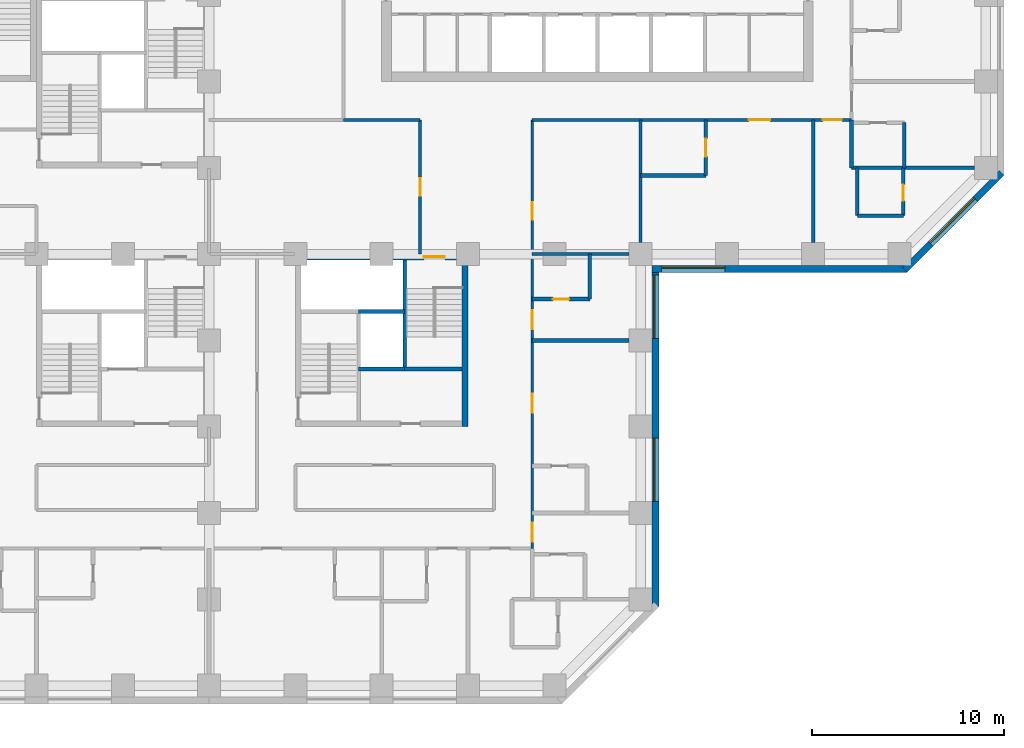
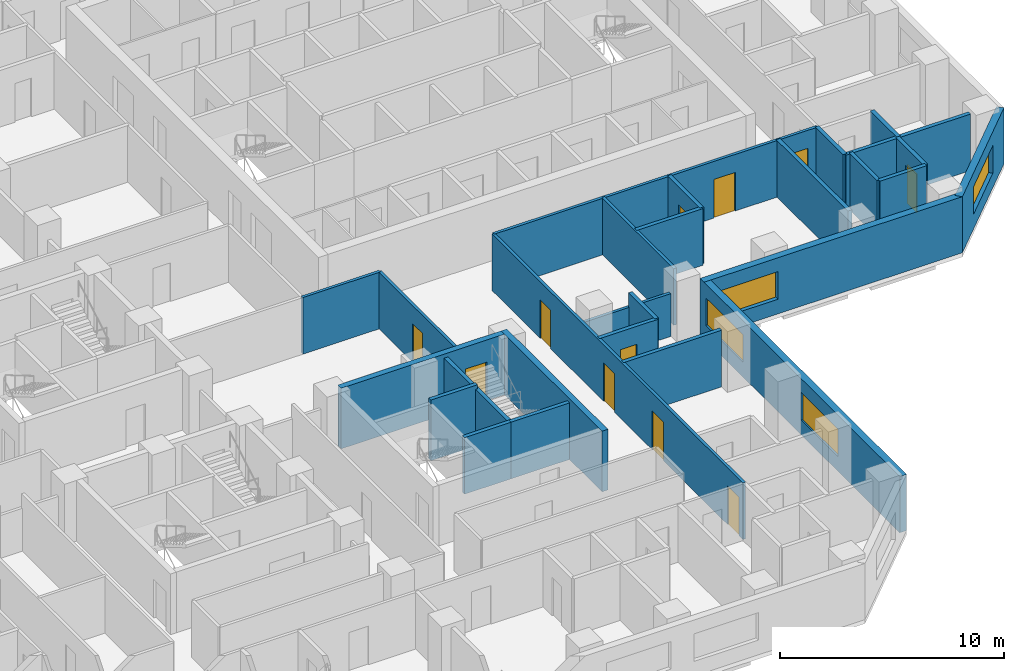
# One storey, part 5 of 12: 27 walls, 11 doors, 4 windows, 15 openings.
"""IFC4 building model written with IfcOpenShell, lengths in metres."""

from ifc_helpers import new_model, si_unit, direction, frame, frame_2d, origin, place, context, subcontext, project, spatial, rectangle, extrude, material, layer, layer_set, constituent, constituent_set, type_object, element, fill, save


model = new_model("IFC4")

# Units and contexts
model_context = context("Model", 3, precision=1e-05, world=origin(), true_north=direction((0.0, 1.0)))
body_context = subcontext(model_context, "Body", "Model", "MODEL_VIEW")
ifc_project = project(units=[si_unit("LENGTHUNIT", "METRE"), si_unit("AREAUNIT", "SQUARE_METRE"), si_unit("VOLUMEUNIT", "CUBIC_METRE"), si_unit("PLANEANGLEUNIT", "RADIAN"), si_unit("MASSUNIT", "GRAM", prefix="KILO")], contexts=[model_context])

# Site, building, storey
site_placement = place(None, origin())
site = spatial("IfcSite", under=ifc_project, at=site_placement, CompositionType="ELEMENT")
building_placement = place(site_placement, origin())
building = spatial("IfcBuilding", under=site, at=building_placement, Name="Quoin Convention Tower", CompositionType="ELEMENT")
storey_placement = place(building_placement, frame((0.0, 0.0, 56.10009765625)))
storey = spatial("IfcBuildingStorey", under=building, at=storey_placement, Name="L14", CompositionType="ELEMENT", Elevation=56.10009765625)

# Wall, openings, windows
ifc_material_1 = material(Name="Brick masonry", Category="masonry")
ifc_layer_1 = layer(ifc_material_1, 0.35009765625)
ifc_layer_set_1 = layer_set([ifc_layer_1], Name="Brick masonry")
wall_type_1 = type_object("IfcWallType", Name="Brick facade wall", PredefinedType="STANDARD", material=ifc_layer_set_1)
wall_1_placement = place(storey_placement, frame((59.27490234375, 22.1064453125, 0.0), z_axis=(0.0, 0.0, 1.0), x_axis=(0.0, 1.0, 0.0)))
wall_1 = element("IfcWall", 1, at=wall_1_placement, inside=storey, type_object=wall_type_1, Name="fw-L14-58500_22500", PredefinedType="STANDARD", context=body_context, shape_type="SweptSolid", body=[
    extrude(rectangle(XDim=17.79345703125, YDim=0.35009765625, at=frame_2d((8.896728515625, 0.0))), origin(), (0.0, 0.0, 1.0), 3.054931640625),
])
opening_1_placement = place(wall_1_placement, frame((5.493408203125, 0.0, 0.800048828125)))
opening_1 = element("IfcOpeningElement", 2, at=opening_1_placement, cuts=wall_1, Name="Opening W-01", PredefinedType="OPENING", context=body_context, shape_type="SweptSolid", body=[
    extrude(rectangle(XDim=3.300048828125, YDim=1.5, at=frame_2d((1.64990234375, 0.75))), frame((0.0, 0.18505859375, 0.0), z_axis=(0.0, -1.0, 0.0), x_axis=(1.0, 0.0, 0.0)), (0.0, 0.0, 1.0), 0.3701171875),
])
opening_2_placement = place(wall_1_placement, frame((13.993408203125, 0.0, 0.800048828125)))
opening_2 = element("IfcOpeningElement", 3, at=opening_2_placement, cuts=wall_1, Name="Opening W-01", PredefinedType="OPENING", context=body_context, shape_type="SweptSolid", body=[
    extrude(rectangle(XDim=3.300048828125, YDim=1.5, at=frame_2d((1.64990234375, 0.75))), frame((0.0, 0.18505859375, 0.0), z_axis=(0.0, -1.0, 0.0), x_axis=(1.0, 0.0, 0.0)), (0.0, 0.0, 1.0), 0.3701171875),
])
ifc_material_2 = material(Name="Aluminium", Category="aluminium")
ifc_constituent_1 = constituent(ifc_material_2, Name="Frame")
ifc_material_3 = material(Name="Insulated glass", Category="glass")
ifc_constituent_2 = constituent(ifc_material_3, Name="Glazing")
ifc_constituent_set = constituent_set(constituents=[ifc_constituent_1, ifc_constituent_2], Name="Aluminium")
window_type = type_object("IfcWindowType", Name="Hotel strip window", PartitioningType="DOUBLE_PANEL_VERTICAL", PredefinedType="WINDOW", material=ifc_constituent_set)
window_1_placement = place(opening_1_placement, origin())
window_1 = element("IfcWindow", 4, at=window_1_placement, inside=storey, type_object=window_type, Name="win-L14-59275_29250", OverallHeight=1.5, OverallWidth=3.300048828125, PartitioningType="SINGLE_PANEL", PredefinedType="WINDOW", context=body_context, shape_type="SweptSolid", body=[
    extrude(rectangle(XDim=3.300048828125, YDim=1.5, at=frame_2d((1.64990234375, 0.75))), frame((0.0, 0.0849609375, 0.0), z_axis=(0.0, -1.0, 0.0), x_axis=(1.0, 0.0, 0.0)), (0.0, 0.0, 1.0), 0.06005859375),
])
fill(opening_1, window_1)
window_2_placement = place(opening_2_placement, origin())
window_2 = element("IfcWindow", 5, at=window_2_placement, inside=storey, type_object=window_type, Name="win-L14-59275_38250", OverallHeight=1.5, OverallWidth=3.300048828125, PartitioningType="SINGLE_PANEL", PredefinedType="WINDOW", context=body_context, shape_type="SweptSolid", body=[
    extrude(rectangle(XDim=3.300048828125, YDim=1.5, at=frame_2d((1.64990234375, 0.75))), frame((0.0, 0.0849609375, 0.0), z_axis=(0.0, -1.0, 0.0), x_axis=(1.0, 0.0, 0.0)), (0.0, 0.0, 1.0), 0.06005859375),
])
fill(opening_2, window_2)

# Wall, opening, window
wall_2_placement = place(storey_placement, frame((59.10009765625, 39.72509765625, 0.0), z_axis=(0.0, 0.0, 1.0), x_axis=(1.0, 0.0, 0.0)))
wall_2 = element("IfcWall", 6, at=wall_2_placement, inside=storey, type_object=wall_type_1, Name="fw-L14-58500_40500", PredefinedType="STANDARD", context=body_context, shape_type="SweptSolid", body=[
    extrude(rectangle(XDim=13.29345703125, YDim=0.35009765625, at=frame_2d((6.646728515625, 0.0))), origin(), (0.0, 0.0, 1.0), 3.054931640625),
])
opening_3_placement = place(wall_2_placement, frame((0.5, 0.0, 0.800048828125)))
opening_3 = element("IfcOpeningElement", 7, at=opening_3_placement, cuts=wall_2, Name="Opening W-01", PredefinedType="OPENING", context=body_context, shape_type="SweptSolid", body=[
    extrude(rectangle(XDim=3.300048828125, YDim=1.5, at=frame_2d((1.64990234375, 0.75))), frame((0.0, 0.18505859375, 0.0), z_axis=(0.0, -1.0, 0.0), x_axis=(1.0, 0.0, 0.0)), (0.0, 0.0, 1.0), 0.3701171875),
])
window_3_placement = place(opening_3_placement, origin())
window_3 = element("IfcWindow", 8, at=window_3_placement, inside=storey, type_object=window_type, Name="win-L14-60750_39725", OverallHeight=1.5, OverallWidth=3.300048828125, PartitioningType="SINGLE_PANEL", PredefinedType="WINDOW", context=body_context, shape_type="SweptSolid", body=[
    extrude(rectangle(XDim=3.300048828125, YDim=1.5, at=frame_2d((1.64990234375, 0.75))), frame((0.0, 0.0849609375, 0.0), z_axis=(0.0, -1.0, 0.0), x_axis=(1.0, 0.0, 0.0)), (0.0, 0.0, 1.0), 0.06005859375),
])
fill(opening_3, window_3)

wall_3_placement = place(storey_placement, frame((72.269775390625, 39.673583984375, 0.0), z_axis=(0.0, 0.0, 1.0), x_axis=(0.707106781187, 0.707106781187, 0.0)))
wall_3 = element("IfcWall", 9, at=wall_3_placement, inside=storey, type_object=wall_type_1, Name="fw-L14-72000_40500", PredefinedType="STANDARD", context=body_context, shape_type="SweptSolid", body=[
    extrude(rectangle(XDim=7.151123046875, YDim=0.35009765625, at=frame_2d((3.57568359375, 0.0))), origin(), (0.0, 0.0, 1.0), 3.054931640625),
])
opening_4_placement = place(wall_3_placement, frame((1.925537109375, 0.0, 0.800048828125)))
opening_4 = element("IfcOpeningElement", 10, at=opening_4_placement, cuts=wall_3, Name="Opening W-01", PredefinedType="OPENING", context=body_context, shape_type="SweptSolid", body=[
    extrude(rectangle(XDim=3.300048828125, YDim=1.5, at=frame_2d((1.64990234375, 0.75))), frame((0.0, 0.18505859375, 0.0), z_axis=(0.0, -1.0, 0.0), x_axis=(1.0, 0.0, 0.0)), (0.0, 0.0, 1.0), 0.3701171875),
])
window_4_placement = place(opening_4_placement, origin())
window_4 = element("IfcWindow", 11, at=window_4_placement, inside=storey, type_object=window_type, Name="win-L14-74798_42202", OverallHeight=1.5, OverallWidth=3.300048828125, PartitioningType="SINGLE_PANEL", PredefinedType="WINDOW", context=body_context, shape_type="SweptSolid", body=[
    extrude(rectangle(XDim=3.300048828125, YDim=1.5, at=frame_2d((1.64990234375, 0.75))), frame((0.0, 0.0849609375, 0.0), z_axis=(0.0, -1.0, 0.0), x_axis=(1.0, 0.0, 0.0)), (0.0, 0.0, 1.0), 0.06005859375),
])
fill(opening_4, window_4)

# Walls
ifc_material_4 = material(Name="Concrete C50", Category="concrete")
ifc_layer_2 = layer(ifc_material_4, 0.199951171875)
ifc_layer_set_2 = layer_set([ifc_layer_2], Name="Concrete C50")
wall_type_2 = type_object("IfcWallType", Name="Core shaft wall", PredefinedType="SOLIDWALL", material=ifc_layer_set_2)
wall_4_placement = place(storey_placement, frame((43.800048828125, 34.5, 0.0), z_axis=(0.0, 0.0, 1.0), x_axis=(1.0, 0.0, 0.0)))
element("IfcWall", 12, at=wall_4_placement, inside=storey, type_object=wall_type_2, Name="cr-P3-L14-h3000_3300", PredefinedType="SOLIDWALL", context=body_context, shape_type="SweptSolid", body=[
    extrude(rectangle(XDim=2.39990234375, YDim=0.199951171875, at=frame_2d((1.199951171875, 0.0))), origin(), (0.0, 0.0, 1.0), 3.079833984375),
])
wall_5_placement = place(storey_placement, frame((46.199951171875, 34.5, 0.0), z_axis=(0.0, 0.0, 1.0), x_axis=(1.0, 0.0, 0.0)))
element("IfcWall", 13, at=wall_5_placement, inside=storey, type_object=wall_type_2, Name="cr-P3-L14-h3000_5700", PredefinedType="SOLIDWALL", context=body_context, shape_type="SweptSolid", body=[
    extrude(rectangle(XDim=3.0, YDim=0.199951171875, at=frame_2d((1.5, 0.0))), origin(), (0.0, 0.0, 1.0), 3.079833984375),
])
wall_6_placement = place(storey_placement, frame((46.199951171875, 34.5, 0.0), z_axis=(0.0, 0.0, 1.0), x_axis=(0.0, 1.0, 0.0)))
element("IfcWall", 14, at=wall_6_placement, inside=storey, type_object=wall_type_2, Name="cr-P3-L14-v5700_3000", PredefinedType="SOLIDWALL", context=body_context, shape_type="SweptSolid", body=[
    extrude(rectangle(XDim=5.699951171875, YDim=0.199951171875, at=frame_2d((2.85009765625, 0.0))), origin(), (0.0, 0.0, 1.0), 3.079833984375),
])
ifc_layer_3 = layer(ifc_material_4, 0.199951171875)
ifc_layer_set_3 = layer_set([ifc_layer_3], Name="Concrete C50")
wall_type_3 = type_object("IfcWallType", Name="Core shaft wall to the floor level over", PredefinedType="SOLIDWALL", material=ifc_layer_set_3)
wall_7_placement = place(storey_placement, frame((43.800048828125, 37.5, 0.0), z_axis=(0.0, 0.0, 1.0), x_axis=(1.0, 0.0, 0.0)))
element("IfcWall", 15, at=wall_7_placement, inside=storey, type_object=wall_type_3, Name="cr-P3-L14-h6000_3300", PredefinedType="SOLIDWALL", context=body_context, shape_type="SweptSolid", body=[
    extrude(rectangle(XDim=2.39990234375, YDim=0.199951171875, at=frame_2d((1.199951171875, 0.0))), origin(), (0.0, 0.0, 1.0), 3.2998046875),
])

# Wall, opening, door
ifc_material_5 = material(Name="Concrete C80", Category="concrete")
ifc_layer_4 = layer(ifc_material_5, 0.300048828125)
ifc_layer_set_4 = layer_set([ifc_layer_4], Name="Concrete C80")
wall_type_4 = type_object("IfcWallType", Name="RC CORE WALL 300 C80", PredefinedType="SHEAR", material=ifc_layer_set_4)
wall_8_placement = place(storey_placement, frame((40.800048828125, 40.35009765625, 0.0), z_axis=(0.0, 0.0, 1.0), x_axis=(1.0, 0.0, 0.0)))
wall_8 = element("IfcWall", 16, at=wall_8_placement, inside=storey, type_object=wall_type_4, Name="cwl-P3-L14-N", PredefinedType="SHEAR", context=body_context, shape_type="SweptSolid", body=[
    extrude(rectangle(XDim=8.39990234375, YDim=0.300048828125, at=frame_2d((4.199951171875, 0.0))), origin(), (0.0, 0.0, 1.0), 3.2998046875),
])
opening_5_placement = place(wall_8_placement, frame((6.39990234375, 0.0, 0.0)))
opening_5 = element("IfcOpeningElement", 17, at=opening_5_placement, cuts=wall_8, Name="Opening SD6", PredefinedType="OPENING", context=body_context, shape_type="SweptSolid", body=[
    extrude(rectangle(XDim=1.10009765625, YDim=2.10009765625, at=frame_2d((0.550048828125, 1.050048828125))), frame((0.0, 0.159912109375, 0.0), z_axis=(0.0, -1.0, 0.0), x_axis=(1.0, 0.0, 0.0)), (0.0, 0.0, 1.0), 0.320068359375),
])
ifc_material_6 = material(Name="Steel door leaf", Category="steel")
door_type_1 = type_object("IfcDoorType", Name="Stair door 1100 x 2100", OperationType="SINGLE_SWING_RIGHT", PredefinedType="DOOR", material=ifc_material_6)
door_1_placement = place(opening_5_placement, frame((1.10009765625, 0.0, 0.0), z_axis=(0.0, 0.0, 1.0), x_axis=(-1.0, 0.0, 0.0)))
door_1 = element("IfcDoor", 18, at=door_1_placement, inside=storey, type_object=door_type_1, Name="cd-P3-L14-SB-N", OperationType="SINGLE_SWING_LEFT", OverallHeight=2.10009765625, OverallWidth=1.10009765625, PredefinedType="DOOR", context=body_context, shape_type="SweptSolid", body=[
    extrude(rectangle(XDim=1.10009765625, YDim=2.10009765625, at=frame_2d((0.550048828125, 1.050048828125))), frame((0.0, 0.02490234375, 0.0), z_axis=(0.0, -1.0, 0.0), x_axis=(1.0, 0.0, 0.0)), (0.0, 0.0, 1.0), 0.050048828125),
])
fill(opening_5, door_1)

# Walls
wall_9_placement = place(storey_placement, frame((49.35009765625, 31.5, 0.0), z_axis=(0.0, 0.0, 1.0), x_axis=(0.0, 1.0, 0.0)))
element("IfcWall", 19, at=wall_9_placement, inside=storey, type_object=wall_type_4, Name="cwl-P3-L14-E", PredefinedType="SHEAR", context=body_context, shape_type="SweptSolid", body=[
    extrude(rectangle(XDim=9.0, YDim=0.300048828125, at=frame_2d((4.5, 0.0))), origin(), (0.0, 0.0, 1.0), 3.2998046875),
])
ifc_layer_5 = layer(ifc_material_4, 0.199951171875)
ifc_layer_set_5 = layer_set([ifc_layer_5], Name="Concrete C50")
wall_type_5 = type_object("IfcWallType", Name="RC party wall", PredefinedType="SOLIDWALL", material=ifc_layer_set_5)
wall_10_placement = place(storey_placement, frame((52.85009765625, 36.0, 0.0), z_axis=(0.0, 0.0, 1.0), x_axis=(1.0, 0.0, 0.0)))
element("IfcWall", 20, at=wall_10_placement, inside=storey, type_object=wall_type_5, Name="pw-L14-073", PredefinedType="SOLIDWALL", context=body_context, shape_type="SweptSolid", body=[
    extrude(rectangle(XDim=5.0498046875, YDim=0.199951171875, at=frame_2d((2.52490234375, 0.0))), origin(), (0.0, 0.0, 1.0), 3.079833984375),
])

# Wall, opening, door
wall_11_placement = place(storey_placement, frame((52.85009765625, 38.14990234375, 0.0), z_axis=(0.0, 0.0, 1.0), x_axis=(1.0, 0.0, 0.0)))
wall_11 = element("IfcWall", 21, at=wall_11_placement, inside=storey, type_object=wall_type_5, Name="pw-L14-074", PredefinedType="SOLIDWALL", context=body_context, shape_type="SweptSolid", body=[
    extrude(rectangle(XDim=3.0, YDim=0.199951171875, at=frame_2d((1.5, 0.0))), origin(), (0.0, 0.0, 1.0), 3.079833984375),
])
opening_6_placement = place(wall_11_placement, frame((1.074951171875, 0.0, 0.0)))
opening_6 = element("IfcOpeningElement", 22, at=opening_6_placement, cuts=wall_11, Name="Opening DHOTEL-C-53", PredefinedType="OPENING", context=body_context, shape_type="SweptSolid", body=[
    extrude(rectangle(XDim=0.85009765625, YDim=2.10009765625, at=frame_2d((0.425048828125, 1.050048828125))), frame((0.0, 0.10986328125, 0.0), z_axis=(0.0, -1.0, 0.0), x_axis=(1.0, 0.0, 0.0)), (0.0, 0.0, 1.0), 0.219970703125),
])
door_type_2 = type_object("IfcDoorType", Name="Bathroom door", OperationType="SINGLE_SWING_LEFT", PredefinedType="DOOR", material=ifc_material_6)
door_2_placement = place(opening_6_placement, frame((0.85009765625, 0.0, 0.0), z_axis=(0.0, 0.0, 1.0), x_axis=(-1.0, 0.0, 0.0)))
door_2 = element("IfcDoor", 23, at=door_2_placement, inside=storey, type_object=door_type_2, Name="dr-L14-028", OperationType="SINGLE_SWING_RIGHT", OverallHeight=2.10009765625, OverallWidth=0.85009765625, PredefinedType="DOOR", context=body_context, shape_type="SweptSolid", body=[
    extrude(rectangle(XDim=0.85009765625, YDim=2.10009765625, at=frame_2d((0.425048828125, 1.050048828125))), frame((0.0, 0.02490234375, 0.0), z_axis=(0.0, -1.0, 0.0), x_axis=(1.0, 0.0, 0.0)), (0.0, 0.0, 1.0), 0.050048828125),
])
fill(opening_6, door_2)

# Walls
wall_12_placement = place(storey_placement, frame((55.85009765625, 38.14990234375, 0.0), z_axis=(0.0, 0.0, 1.0), x_axis=(0.0, 1.0, 0.0)))
element("IfcWall", 24, at=wall_12_placement, inside=storey, type_object=wall_type_5, Name="pw-L14-075", PredefinedType="SOLIDWALL", context=body_context, shape_type="SweptSolid", body=[
    extrude(rectangle(XDim=2.35009765625, YDim=0.199951171875, at=frame_2d((1.175048828125, 0.0))), origin(), (0.0, 0.0, 1.0), 3.079833984375),
])
wall_13_placement = place(storey_placement, frame((67.5, 41.10009765625, 0.0), z_axis=(0.0, 0.0, 1.0), x_axis=(0.0, 1.0, 0.0)))
element("IfcWall", 25, at=wall_13_placement, inside=storey, type_object=wall_type_5, Name="pw-L14-078", PredefinedType="SOLIDWALL", context=body_context, shape_type="SweptSolid", body=[
    extrude(rectangle(XDim=6.39990234375, YDim=0.199951171875, at=frame_2d((3.199951171875, 0.0))), origin(), (0.0, 0.0, 1.0), 3.079833984375),
])
wall_14_placement = place(storey_placement, frame((69.800048828125, 42.5, 0.0), z_axis=(0.0, 0.0, 1.0), x_axis=(1.0, 0.0, 0.0)))
element("IfcWall", 26, at=wall_14_placement, inside=storey, type_object=wall_type_5, Name="pw-L14-079", PredefinedType="SOLIDWALL", context=body_context, shape_type="SweptSolid", body=[
    extrude(rectangle(XDim=2.39990234375, YDim=0.199951171875, at=frame_2d((1.199951171875, 0.0))), origin(), (0.0, 0.0, 1.0), 3.079833984375),
])
wall_15_placement = place(storey_placement, frame((69.800048828125, 42.5, 0.0), z_axis=(0.0, 0.0, 1.0), x_axis=(0.0, 1.0, 0.0)))
element("IfcWall", 27, at=wall_15_placement, inside=storey, type_object=wall_type_5, Name="pw-L14-080", PredefinedType="SOLIDWALL", context=body_context, shape_type="SweptSolid", body=[
    extrude(rectangle(XDim=2.5, YDim=0.199951171875, at=frame_2d((1.25, 0.0))), origin(), (0.0, 0.0, 1.0), 3.079833984375),
])

# Wall, opening, door
wall_16_placement = place(storey_placement, frame((72.199951171875, 42.5, 0.0), z_axis=(0.0, 0.0, 1.0), x_axis=(0.0, 1.0, 0.0)))
wall_16 = element("IfcWall", 28, at=wall_16_placement, inside=storey, type_object=wall_type_5, Name="pw-L14-081", PredefinedType="SOLIDWALL", context=body_context, shape_type="SweptSolid", body=[
    extrude(rectangle(XDim=2.5, YDim=0.199951171875, at=frame_2d((1.25, 0.0))), origin(), (0.0, 0.0, 1.0), 3.079833984375),
])
opening_7_placement = place(wall_16_placement, frame((0.77490234375, 0.0, 0.0)))
opening_7 = element("IfcOpeningElement", 29, at=opening_7_placement, cuts=wall_16, Name="Opening DHOTEL-C-55", PredefinedType="OPENING", context=body_context, shape_type="SweptSolid", body=[
    extrude(rectangle(XDim=0.85009765625, YDim=2.10009765625, at=frame_2d((0.425048828125, 1.050048828125))), frame((0.0, 0.10986328125, 0.0), z_axis=(0.0, -1.0, 0.0), x_axis=(1.0, 0.0, 0.0)), (0.0, 0.0, 1.0), 0.219970703125),
])
door_3_placement = place(opening_7_placement, frame((0.85009765625, 0.0, 0.0), z_axis=(0.0, 0.0, 1.0), x_axis=(-1.0, 0.0, 0.0)))
door_3 = element("IfcDoor", 30, at=door_3_placement, inside=storey, type_object=door_type_2, Name="dr-L14-070", OperationType="SINGLE_SWING_LEFT", OverallHeight=2.10009765625, OverallWidth=0.85009765625, PredefinedType="DOOR", context=body_context, shape_type="SweptSolid", body=[
    extrude(rectangle(XDim=0.85009765625, YDim=2.10009765625, at=frame_2d((0.425048828125, 1.050048828125))), frame((0.0, 0.02490234375, 0.0), z_axis=(0.0, -1.0, 0.0), x_axis=(1.0, 0.0, 0.0)), (0.0, 0.0, 1.0), 0.050048828125),
])
fill(opening_7, door_3)

# Wall
wall_17_placement = place(storey_placement, frame((58.5, 44.60009765625, 0.0), z_axis=(0.0, 0.0, 1.0), x_axis=(1.0, 0.0, 0.0)))
element("IfcWall", 31, at=wall_17_placement, inside=storey, type_object=wall_type_5, Name="pw-L14-084", PredefinedType="SOLIDWALL", context=body_context, shape_type="SweptSolid", body=[
    extrude(rectangle(XDim=3.39990234375, YDim=0.199951171875, at=frame_2d((1.699951171875, 0.0))), origin(), (0.0, 0.0, 1.0), 3.079833984375),
])

# Wall, opening, door
wall_18_placement = place(storey_placement, frame((61.89990234375, 44.60009765625, 0.0), z_axis=(0.0, 0.0, 1.0), x_axis=(0.0, 1.0, 0.0)))
wall_18 = element("IfcWall", 32, at=wall_18_placement, inside=storey, type_object=wall_type_5, Name="pw-L14-085", PredefinedType="SOLIDWALL", context=body_context, shape_type="SweptSolid", body=[
    extrude(rectangle(XDim=2.89990234375, YDim=0.199951171875, at=frame_2d((1.449951171875, 0.0))), origin(), (0.0, 0.0, 1.0), 3.079833984375),
])
opening_8_placement = place(wall_18_placement, frame((0.97509765625, 0.0, 0.0)))
opening_8 = element("IfcOpeningElement", 33, at=opening_8_placement, cuts=wall_18, Name="Opening DHOTEL-C-57", PredefinedType="OPENING", context=body_context, shape_type="SweptSolid", body=[
    extrude(rectangle(XDim=0.949951171875, YDim=2.10009765625, at=frame_2d((0.47509765625, 1.050048828125))), frame((0.0, 0.10986328125, 0.0), z_axis=(0.0, -1.0, 0.0), x_axis=(1.0, 0.0, 0.0)), (0.0, 0.0, 1.0), 0.219970703125),
])
door_type_3 = type_object("IfcDoorType", Name="Accessible bathroom door", OperationType="SINGLE_SWING_LEFT", PredefinedType="DOOR", material=ifc_material_6)
door_4_placement = place(opening_8_placement, frame((0.949951171875, 0.0, 0.0), z_axis=(0.0, 0.0, 1.0), x_axis=(-1.0, 0.0, 0.0)))
door_4 = element("IfcDoor", 34, at=door_4_placement, inside=storey, type_object=door_type_3, Name="dr-L14-058", OperationType="SINGLE_SWING_LEFT", OverallHeight=2.10009765625, OverallWidth=0.949951171875, PredefinedType="DOOR", context=body_context, shape_type="SweptSolid", body=[
    extrude(rectangle(XDim=0.949951171875, YDim=2.10009765625, at=frame_2d((0.47509765625, 1.050048828125))), frame((0.0, 0.02490234375, 0.0), z_axis=(0.0, -1.0, 0.0), x_axis=(1.0, 0.0, 0.0)), (0.0, 0.0, 1.0), 0.050048828125),
])
fill(opening_8, door_4)

# Walls
wall_19_placement = place(storey_placement, frame((69.5, 45.0, 0.0), z_axis=(0.0, 0.0, 1.0), x_axis=(1.0, 0.0, 0.0)))
element("IfcWall", 35, at=wall_19_placement, inside=storey, type_object=wall_type_5, Name="pw-L14-088", PredefinedType="SOLIDWALL", context=body_context, shape_type="SweptSolid", body=[
    extrude(rectangle(XDim=6.39990234375, YDim=0.199951171875, at=frame_2d((3.199951171875, 0.0))), origin(), (0.0, 0.0, 1.0), 3.079833984375),
])
wall_20_placement = place(storey_placement, frame((69.5, 45.0, 0.0), z_axis=(0.0, 0.0, 1.0), x_axis=(0.0, 1.0, 0.0)))
element("IfcWall", 36, at=wall_20_placement, inside=storey, type_object=wall_type_5, Name="pw-L14-089", PredefinedType="SOLIDWALL", context=body_context, shape_type="SweptSolid", body=[
    extrude(rectangle(XDim=2.5, YDim=0.199951171875, at=frame_2d((1.25, 0.0))), origin(), (0.0, 0.0, 1.0), 3.079833984375),
])
wall_21_placement = place(storey_placement, frame((72.25, 45.0, 0.0), z_axis=(0.0, 0.0, 1.0), x_axis=(0.0, 1.0, 0.0)))
element("IfcWall", 37, at=wall_21_placement, inside=storey, type_object=wall_type_5, Name="pw-L14-090", PredefinedType="SOLIDWALL", context=body_context, shape_type="SweptSolid", body=[
    extrude(rectangle(XDim=2.35009765625, YDim=0.199951171875, at=frame_2d((1.175048828125, 0.0))), origin(), (0.0, 0.0, 1.0), 3.079833984375),
])

# Wall, openings, doors
ifc_material_7 = material(Name="Plasterboard")
ifc_layer_6 = layer(ifc_material_7, 0.012451171875, Name="Finish")
ifc_material_8 = material(Name="Steel stud framing", Category="steel")
ifc_layer_7 = layer(ifc_material_8, 0.125, Name="Structure")
ifc_layer_8 = layer(ifc_material_7, 0.012451171875, Name="Finish")
ifc_layer_set_6 = layer_set([ifc_layer_6, ifc_layer_7, ifc_layer_8], Name="Steel stud framing")
wall_type_6 = type_object("IfcWallType", Name="corridor partition", PredefinedType="PARTITIONING", material=ifc_layer_set_6)
wall_22_placement = place(storey_placement, frame((52.85009765625, 25.14990234375, 0.0), z_axis=(0.0, 0.0, 1.0), x_axis=(0.0, 1.0, 0.0)))
wall_22 = element("IfcWall", 38, at=wall_22_placement, inside=storey, type_object=wall_type_6, Name="pw-L14-005", PredefinedType="PARTITIONING", context=body_context, shape_type="SweptSolid", body=[
    extrude(rectangle(XDim=22.35009765625, YDim=0.14990234375, at=frame_2d((11.175048828125, 0.0))), origin(), (0.0, 0.0, 1.0), 3.079833984375),
])
opening_9_placement = place(wall_22_placement, frame((0.346923828125, 0.0, 0.0)))
opening_9 = element("IfcOpeningElement", 39, at=opening_9_placement, cuts=wall_22, Name="Opening DHOTEL-C-13", PredefinedType="OPENING", context=body_context, shape_type="SweptSolid", body=[
    extrude(rectangle(XDim=1.0, YDim=2.10009765625, at=frame_2d((0.5, 1.050048828125))), frame((0.0, 0.0849609375, 0.0), z_axis=(0.0, -1.0, 0.0), x_axis=(1.0, 0.0, 0.0)), (0.0, 0.0, 1.0), 0.169921875),
])
opening_10_placement = place(wall_22_placement, frame((7.074951171875, 0.0, 0.0)))
opening_10 = element("IfcOpeningElement", 40, at=opening_10_placement, cuts=wall_22, Name="Opening DHOTEL-C-14", PredefinedType="OPENING", context=body_context, shape_type="SweptSolid", body=[
    extrude(rectangle(XDim=1.0, YDim=2.10009765625, at=frame_2d((0.5, 1.050048828125))), frame((0.0, 0.0849609375, 0.0), z_axis=(0.0, -1.0, 0.0), x_axis=(1.0, 0.0, 0.0)), (0.0, 0.0, 1.0), 0.169921875),
])
opening_11_placement = place(wall_22_placement, frame((11.425048828125, 0.0, 0.0)))
opening_11 = element("IfcOpeningElement", 41, at=opening_11_placement, cuts=wall_22, Name="Opening DHOTEL-C-15", PredefinedType="OPENING", context=body_context, shape_type="SweptSolid", body=[
    extrude(rectangle(XDim=1.0, YDim=2.10009765625, at=frame_2d((0.5, 1.050048828125))), frame((0.0, 0.0849609375, 0.0), z_axis=(0.0, -1.0, 0.0), x_axis=(1.0, 0.0, 0.0)), (0.0, 0.0, 1.0), 0.169921875),
])
opening_12_placement = place(wall_22_placement, frame((17.14990234375, 0.0, 0.0)))
opening_12 = element("IfcOpeningElement", 42, at=opening_12_placement, cuts=wall_22, Name="Opening DHOTEL-C-16", PredefinedType="OPENING", context=body_context, shape_type="SweptSolid", body=[
    extrude(rectangle(XDim=0.89990234375, YDim=2.10009765625, at=frame_2d((0.449951171875, 1.050048828125))), frame((0.0, 0.0849609375, 0.0), z_axis=(0.0, -1.0, 0.0), x_axis=(1.0, 0.0, 0.0)), (0.0, 0.0, 1.0), 0.169921875),
])
door_type_4 = type_object("IfcDoorType", Name="Hotel room door", OperationType="SINGLE_SWING_LEFT", PredefinedType="DOOR", material=ifc_material_6)
door_5_placement = place(opening_9_placement, frame((1.0, 0.0, 0.0), z_axis=(0.0, 0.0, 1.0), x_axis=(-1.0, 0.0, 0.0)))
door_5 = element("IfcDoor", 43, at=door_5_placement, inside=storey, type_object=door_type_4, Name="dr-L14-023", OperationType="SINGLE_SWING_RIGHT", OverallHeight=2.10009765625, OverallWidth=1.0, PredefinedType="DOOR", context=body_context, shape_type="SweptSolid", body=[
    extrude(rectangle(XDim=1.0, YDim=2.10009765625, at=frame_2d((0.5, 1.050048828125))), frame((0.0, 0.02490234375, 0.0), z_axis=(0.0, -1.0, 0.0), x_axis=(1.0, 0.0, 0.0)), (0.0, 0.0, 1.0), 0.050048828125),
])
fill(opening_9, door_5)
door_6_placement = place(opening_10_placement, frame((1.0, 0.0, 0.0), z_axis=(0.0, 0.0, 1.0), x_axis=(-1.0, 0.0, 0.0)))
door_6 = element("IfcDoor", 44, at=door_6_placement, inside=storey, type_object=door_type_4, Name="dr-L14-025", OperationType="SINGLE_SWING_LEFT", OverallHeight=2.10009765625, OverallWidth=1.0, PredefinedType="DOOR", context=body_context, shape_type="SweptSolid", body=[
    extrude(rectangle(XDim=1.0, YDim=2.10009765625, at=frame_2d((0.5, 1.050048828125))), frame((0.0, 0.02490234375, 0.0), z_axis=(0.0, -1.0, 0.0), x_axis=(1.0, 0.0, 0.0)), (0.0, 0.0, 1.0), 0.050048828125),
])
fill(opening_10, door_6)
door_7_placement = place(opening_11_placement, frame((1.0, 0.0, 0.0), z_axis=(0.0, 0.0, 1.0), x_axis=(-1.0, 0.0, 0.0)))
door_7 = element("IfcDoor", 45, at=door_7_placement, inside=storey, type_object=door_type_4, Name="dr-L14-027", OperationType="SINGLE_SWING_LEFT", OverallHeight=2.10009765625, OverallWidth=1.0, PredefinedType="DOOR", context=body_context, shape_type="SweptSolid", body=[
    extrude(rectangle(XDim=1.0, YDim=2.10009765625, at=frame_2d((0.5, 1.050048828125))), frame((0.0, 0.02490234375, 0.0), z_axis=(0.0, -1.0, 0.0), x_axis=(1.0, 0.0, 0.0)), (0.0, 0.0, 1.0), 0.050048828125),
])
fill(opening_11, door_7)
door_type_5 = type_object("IfcDoorType", Name="Single room door", OperationType="SINGLE_SWING_RIGHT", PredefinedType="DOOR", material=ifc_material_6)
door_8_placement = place(opening_12_placement, frame((0.89990234375, 0.0, 0.0), z_axis=(0.0, 0.0, 1.0), x_axis=(-1.0, 0.0, 0.0)))
door_8 = element("IfcDoor", 46, at=door_8_placement, inside=storey, type_object=door_type_5, Name="dr-L14-w01", OperationType="SINGLE_SWING_RIGHT", OverallHeight=2.10009765625, OverallWidth=0.89990234375, PredefinedType="DOOR", context=body_context, shape_type="SweptSolid", body=[
    extrude(rectangle(XDim=0.89990234375, YDim=2.10009765625, at=frame_2d((0.449951171875, 1.050048828125))), frame((0.0, 0.02490234375, 0.0), z_axis=(0.0, -1.0, 0.0), x_axis=(1.0, 0.0, 0.0)), (0.0, 0.0, 1.0), 0.050048828125),
])
fill(opening_12, door_8)

# Wall, opening, door
wall_23_placement = place(storey_placement, frame((47.0, 40.5, 0.0), z_axis=(0.0, 0.0, 1.0), x_axis=(0.0, 1.0, 0.0)))
wall_23 = element("IfcWall", 47, at=wall_23_placement, inside=storey, type_object=wall_type_6, Name="pw-L14-022", PredefinedType="PARTITIONING", context=body_context, shape_type="SweptSolid", body=[
    extrude(rectangle(XDim=7.0, YDim=0.14990234375, at=frame_2d((3.5, 0.0))), origin(), (0.0, 0.0, 1.0), 3.079833984375),
])
opening_13_placement = place(wall_23_placement, frame((3.050048828125, 0.0, 0.0)))
opening_13 = element("IfcOpeningElement", 48, at=opening_13_placement, cuts=wall_23, Name="Opening DHOTEL-C-21", PredefinedType="OPENING", context=body_context, shape_type="SweptSolid", body=[
    extrude(rectangle(XDim=0.89990234375, YDim=2.10009765625, at=frame_2d((0.449951171875, 1.050048828125))), frame((0.0, 0.0849609375, 0.0), z_axis=(0.0, -1.0, 0.0), x_axis=(1.0, 0.0, 0.0)), (0.0, 0.0, 1.0), 0.169921875),
])
door_9_placement = place(opening_13_placement, origin())
door_9 = element("IfcDoor", 49, at=door_9_placement, inside=storey, type_object=door_type_5, Name="dr-L14-078", OperationType="SINGLE_SWING_RIGHT", OverallHeight=2.10009765625, OverallWidth=0.89990234375, PredefinedType="DOOR", context=body_context, shape_type="SweptSolid", body=[
    extrude(rectangle(XDim=0.89990234375, YDim=2.10009765625, at=frame_2d((0.449951171875, 1.050048828125))), frame((0.0, 0.02490234375, 0.0), z_axis=(0.0, -1.0, 0.0), x_axis=(1.0, 0.0, 0.0)), (0.0, 0.0, 1.0), 0.050048828125),
])
fill(opening_13, door_9)

# Wall
wall_24_placement = place(storey_placement, frame((43.0, 47.5, 0.0), z_axis=(0.0, 0.0, 1.0), x_axis=(1.0, 0.0, 0.0)))
element("IfcWall", 50, at=wall_24_placement, inside=storey, type_object=wall_type_6, Name="pw-L14-026", PredefinedType="PARTITIONING", context=body_context, shape_type="SweptSolid", body=[
    extrude(rectangle(XDim=4.0, YDim=0.14990234375, at=frame_2d((2.0, 0.0))), origin(), (0.0, 0.0, 1.0), 3.079833984375),
])

# Wall, openings, doors
wall_25_placement = place(storey_placement, frame((52.85009765625, 47.5, 0.0), z_axis=(0.0, 0.0, 1.0), x_axis=(1.0, 0.0, 0.0)))
wall_25 = element("IfcWall", 51, at=wall_25_placement, inside=storey, type_object=wall_type_6, Name="pw-L14-028", PredefinedType="PARTITIONING", context=body_context, shape_type="SweptSolid", body=[
    extrude(rectangle(XDim=16.64990234375, YDim=0.14990234375, at=frame_2d((8.324951171875, 0.0))), origin(), (0.0, 0.0, 1.0), 3.079833984375),
])
opening_14_placement = place(wall_25_placement, frame((11.300048828125, 0.0, 0.0)))
opening_14 = element("IfcOpeningElement", 52, at=opening_14_placement, cuts=wall_25, Name="Opening DHOTEL-C-23", PredefinedType="OPENING", context=body_context, shape_type="SweptSolid", body=[
    extrude(rectangle(XDim=1.10009765625, YDim=2.10009765625, at=frame_2d((0.550048828125, 1.050048828125))), frame((0.0, 0.0849609375, 0.0), z_axis=(0.0, -1.0, 0.0), x_axis=(1.0, 0.0, 0.0)), (0.0, 0.0, 1.0), 0.169921875),
])
opening_15_placement = place(wall_25_placement, frame((15.14990234375, 0.0, 0.0)))
opening_15 = element("IfcOpeningElement", 53, at=opening_15_placement, cuts=wall_25, Name="Opening DHOTEL-C-24", PredefinedType="OPENING", context=body_context, shape_type="SweptSolid", body=[
    extrude(rectangle(XDim=1.0, YDim=2.10009765625, at=frame_2d((0.5, 1.050048828125))), frame((0.0, 0.0849609375, 0.0), z_axis=(0.0, -1.0, 0.0), x_axis=(1.0, 0.0, 0.0)), (0.0, 0.0, 1.0), 0.169921875),
])
door_type_6 = type_object("IfcDoorType", Name="Accessible room door", OperationType="SINGLE_SWING_LEFT", PredefinedType="DOOR", material=ifc_material_6)
door_10_placement = place(opening_14_placement, frame((1.10009765625, 0.0, 0.0), z_axis=(0.0, 0.0, 1.0), x_axis=(-1.0, 0.0, 0.0)))
door_10 = element("IfcDoor", 54, at=door_10_placement, inside=storey, type_object=door_type_6, Name="dr-L14-057", OperationType="SINGLE_SWING_LEFT", OverallHeight=2.10009765625, OverallWidth=1.10009765625, PredefinedType="DOOR", context=body_context, shape_type="SweptSolid", body=[
    extrude(rectangle(XDim=1.10009765625, YDim=2.10009765625, at=frame_2d((0.550048828125, 1.050048828125))), frame((0.0, 0.02490234375, 0.0), z_axis=(0.0, -1.0, 0.0), x_axis=(1.0, 0.0, 0.0)), (0.0, 0.0, 1.0), 0.050048828125),
])
fill(opening_14, door_10)
door_11_placement = place(opening_15_placement, frame((1.0, 0.0, 0.0), z_axis=(0.0, 0.0, 1.0), x_axis=(-1.0, 0.0, 0.0)))
door_11 = element("IfcDoor", 55, at=door_11_placement, inside=storey, type_object=door_type_4, Name="dr-L14-069", OperationType="SINGLE_SWING_LEFT", OverallHeight=2.10009765625, OverallWidth=1.0, PredefinedType="DOOR", context=body_context, shape_type="SweptSolid", body=[
    extrude(rectangle(XDim=1.0, YDim=2.10009765625, at=frame_2d((0.5, 1.050048828125))), frame((0.0, 0.02490234375, 0.0), z_axis=(0.0, -1.0, 0.0), x_axis=(1.0, 0.0, 0.0)), (0.0, 0.0, 1.0), 0.050048828125),
])
fill(opening_15, door_11)

# Walls
ifc_layer_9 = layer(ifc_material_7, 0.012451171875, Name="Finish")
ifc_layer_10 = layer(ifc_material_8, 0.125, Name="Structure")
ifc_layer_11 = layer(ifc_material_7, 0.012451171875, Name="Finish")
ifc_layer_set_7 = layer_set([ifc_layer_9, ifc_layer_10, ifc_layer_11], Name="Steel stud framing")
wall_type_7 = type_object("IfcWallType", Name="room partition", PredefinedType="PARTITIONING", material=ifc_layer_set_7)
wall_26_placement = place(storey_placement, frame((58.5, 41.10009765625, 0.0), z_axis=(0.0, 0.0, 1.0), x_axis=(0.0, 1.0, 0.0)))
element("IfcWall", 56, at=wall_26_placement, inside=storey, type_object=wall_type_7, Name="pw-L14-158", PredefinedType="PARTITIONING", context=body_context, shape_type="SweptSolid", body=[
    extrude(rectangle(XDim=6.39990234375, YDim=0.14990234375, at=frame_2d((3.199951171875, 0.0))), origin(), (0.0, 0.0, 1.0), 3.079833984375),
])
ifc_layer_12 = layer(ifc_material_7, 0.012451171875, Name="Finish")
ifc_layer_13 = layer(ifc_material_8, 0.125, Name="Structure")
ifc_layer_14 = layer(ifc_material_7, 0.012451171875, Name="Finish")
ifc_layer_set_8 = layer_set([ifc_layer_12, ifc_layer_13, ifc_layer_14], Name="Steel stud framing")
wall_type_8 = type_object("IfcWallType", Name="room partition under beam 750", PredefinedType="PARTITIONING", material=ifc_layer_set_8)
wall_27_placement = place(storey_placement, frame((52.85009765625, 40.5, 0.0), z_axis=(0.0, 0.0, 1.0), x_axis=(1.0, 0.0, 0.0)))
element("IfcWall", 57, at=wall_27_placement, inside=storey, type_object=wall_type_8, Name="pw-L14-157", PredefinedType="PARTITIONING", context=body_context, shape_type="SweptSolid", body=[
    extrude(rectangle(XDim=5.0498046875, YDim=0.14990234375, at=frame_2d((2.52490234375, 0.0))), origin(), (0.0, 0.0, 1.0), 2.329833984375),
])

save(model, "model.ifc")
